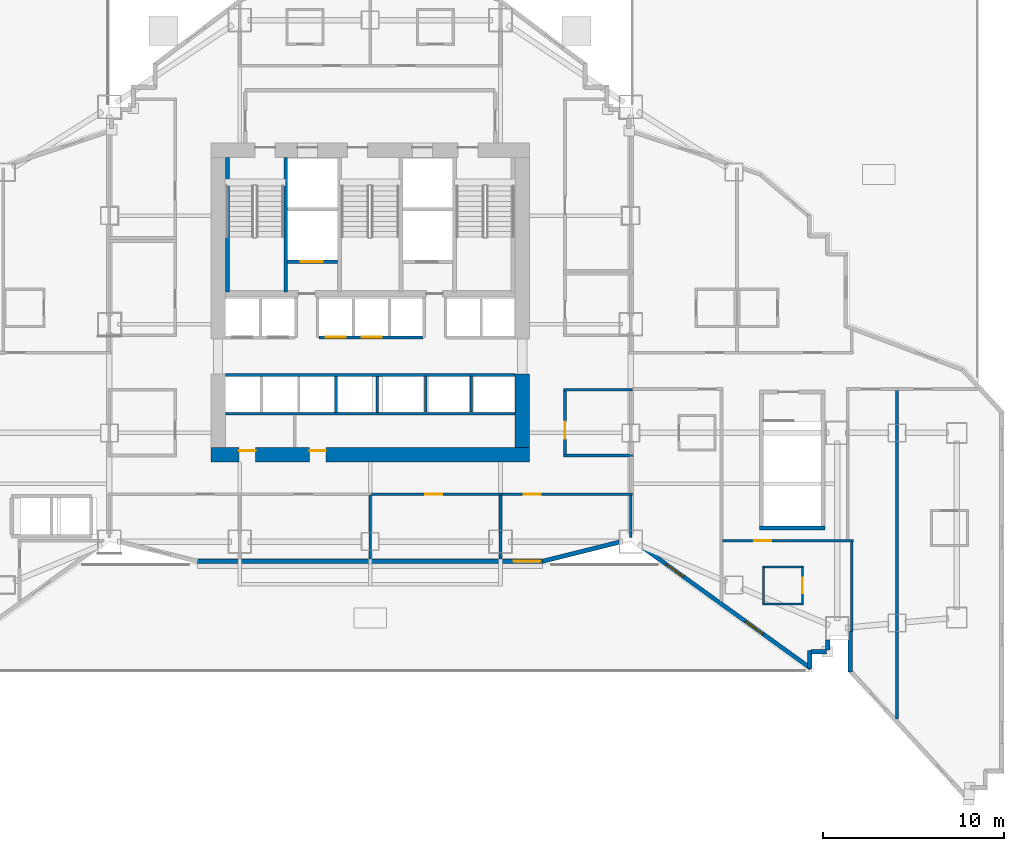
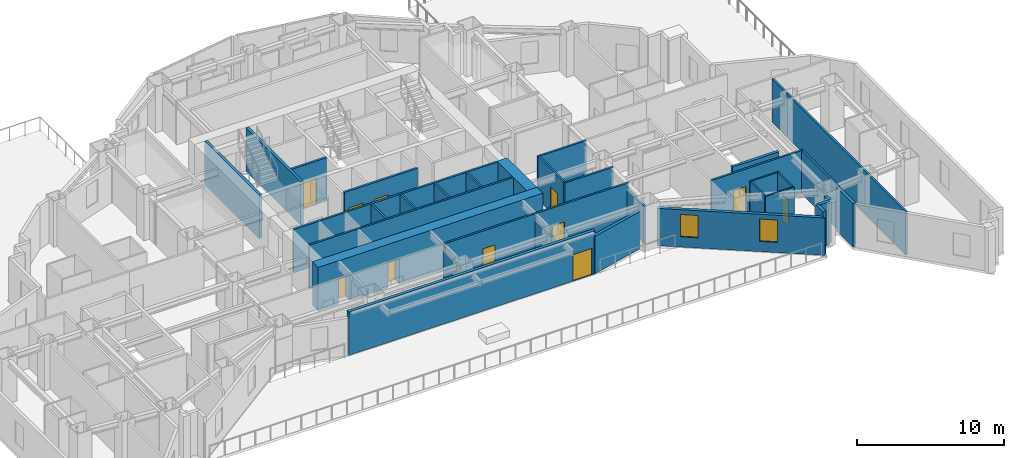
# One storey, part 9 of 20: 35 walls, 11 doors, 2 windows, 13 openings.
"""IFC4 building model written with IfcOpenShell, lengths in metres."""

from ifc_helpers import new_model, si_unit, direction, frame, frame_2d, origin, place, context, subcontext, project, spatial, rectangle, extrude, material, layer, layer_set, type_object, element, fill, save


model = new_model("IFC4")

# Units and contexts
model_context = context("Model", 3, precision=1e-05, world=origin(), true_north=direction((0.0, 1.0)))
body_context = subcontext(model_context, "Body", "Model", "MODEL_VIEW")
ifc_project = project(units=[si_unit("LENGTHUNIT", "METRE"), si_unit("AREAUNIT", "SQUARE_METRE"), si_unit("VOLUMEUNIT", "CUBIC_METRE"), si_unit("PLANEANGLEUNIT", "RADIAN"), si_unit("MASSUNIT", "GRAM", prefix="KILO")], contexts=[model_context])

# Site, building, storey
site_placement = place(None, origin())
site = spatial("IfcSite", under=ifc_project, at=site_placement, CompositionType="ELEMENT")
building_placement = place(site_placement, origin())
building = spatial("IfcBuilding", under=site, at=building_placement, Name="Haolan Belvedere Tower", CompositionType="ELEMENT")
storey_placement = place(building_placement, frame((0.0, 0.0, 24.0)))
storey = spatial("IfcBuildingStorey", under=building, at=storey_placement, Name="L05", CompositionType="ELEMENT", Elevation=24.0)

# Wall, openings, doors
ifc_material_1 = material(Name="Concrete C70/85", Category="concrete")
ifc_layer_1 = layer(ifc_material_1, 0.800048828125, Name="Concrete C70/85")
ifc_layer_set_1 = layer_set([ifc_layer_1], Name="Concrete C70/85")
wall_type_1 = type_object("IfcWallType", Name="WL-CORE-800", PredefinedType="SHEAR", material=ifc_layer_set_1)
wall_1_placement = place(storey_placement, frame((29.60009765625, 26.39990234375, 0.0), z_axis=(0.0, 0.0, 1.0), x_axis=(1.0, 0.0, 0.0)))
wall_1 = element("IfcWall", 1, at=wall_1_placement, inside=storey, type_object=wall_type_1, Name="L05 central core south shear wall", PredefinedType="SHEAR", context=body_context, shape_type="SweptSolid", body=[
    extrude(rectangle(XDim=17.599853515625, YDim=0.800048828125, at=frame_2d((8.7998046875, 0.0))), origin(), (0.0, 0.0, 1.0), 3.60009765625),
])
opening_1_placement = place(wall_1_placement, frame((2.469970703125, 0.0, 0.0), z_axis=(0.0, 0.0, 1.0), x_axis=(-1.0, 0.0, 0.0)))
opening_1 = element("IfcOpeningElement", 2, at=opening_1_placement, cuts=wall_1, Name="Opening FD-05", PredefinedType="OPENING", context=body_context, shape_type="SweptSolid", body=[
    extrude(rectangle(XDim=0.89990234375, YDim=2.10009765625, at=frame_2d((0.449951171875, 1.050048828125))), frame((0.0, 0.409912109375, 0.0), z_axis=(0.0, -1.0, 0.0), x_axis=(1.0, 0.0, 0.0)), (0.0, 0.0, 1.0), 0.820068359375),
])
opening_2_placement = place(wall_1_placement, frame((6.35986328125, 0.0, 0.0), z_axis=(0.0, 0.0, 1.0), x_axis=(-1.0, 0.0, 0.0)))
opening_2 = element("IfcOpeningElement", 3, at=opening_2_placement, cuts=wall_1, Name="Opening FD-05", PredefinedType="OPENING", context=body_context, shape_type="SweptSolid", body=[
    extrude(rectangle(XDim=0.89990234375, YDim=2.10009765625, at=frame_2d((0.449951171875, 1.050048828125))), frame((0.0, 0.409912109375, 0.0), z_axis=(0.0, -1.0, 0.0), x_axis=(1.0, 0.0, 0.0)), (0.0, 0.0, 1.0), 0.820068359375),
])
ifc_material_2 = material(Name="Galvanised fire-rated steel", Category="steel")
door_type_1 = type_object("IfcDoorType", Name="DR-FD60-900", OperationType="NOTDEFINED", PredefinedType="DOOR", material=ifc_material_2)
door_1_placement = place(opening_1_placement, origin())
door_1 = element("IfcDoor", 4, at=door_1_placement, inside=storey, type_object=door_type_1, Name="L05 door CD-L05-SCV-1", OperationType="SINGLE_SWING_LEFT", OverallHeight=2.10009765625, OverallWidth=0.89990234375, PredefinedType="DOOR", context=body_context, shape_type="SweptSolid", body=[
    extrude(rectangle(XDim=0.89990234375, YDim=2.10009765625, at=frame_2d((0.449951171875, 1.050048828125))), frame((0.0, -0.19482421875, 0.0), z_axis=(0.0, -1.0, 0.0), x_axis=(1.0, 0.0, 0.0)), (0.0, 0.0, 1.0), 0.050048828125),
])
fill(opening_1, door_1)
door_2_placement = place(opening_2_placement, origin())
door_2 = element("IfcDoor", 5, at=door_2_placement, inside=storey, type_object=door_type_1, Name="L05 door CD-L05-SCV-2", OperationType="SINGLE_SWING_RIGHT", OverallHeight=2.10009765625, OverallWidth=0.89990234375, PredefinedType="DOOR", context=body_context, shape_type="SweptSolid", body=[
    extrude(rectangle(XDim=0.89990234375, YDim=2.10009765625, at=frame_2d((0.449951171875, 1.050048828125))), frame((0.0, -0.19482421875, 0.0), z_axis=(0.0, -1.0, 0.0), x_axis=(1.0, 0.0, 0.0)), (0.0, 0.0, 1.0), 0.050048828125),
])
fill(opening_2, door_2)

# Wall
wall_2_placement = place(storey_placement, frame((46.800048828125, 26.800048828125, 0.0), z_axis=(0.0, 0.0, 1.0), x_axis=(0.0, 1.0, 0.0)))
element("IfcWall", 6, at=wall_2_placement, inside=storey, type_object=wall_type_1, Name="L05 central core shear wall ES", PredefinedType="SHEAR", context=body_context, shape_type="SweptSolid", body=[
    extrude(rectangle(XDim=4.050048828125, YDim=0.800048828125, at=frame_2d((2.02490234375, 0.0))), origin(), (0.0, 0.0, 1.0), 3.60009765625),
])

# Wall, opening, door
ifc_material_3 = material(Name="Precast concrete C40/50", Category="concrete")
ifc_layer_2 = layer(ifc_material_3, 0.239990234375, Name="Precast concrete C40/50")
ifc_layer_set_2 = layer_set([ifc_layer_2], Name="Precast concrete C40/50")
wall_type_2 = type_object("IfcWallType", Name="WL-EXT-240", PredefinedType="SOLIDWALL", material=ifc_layer_set_2)
wall_3_placement = place(storey_placement, frame((28.759765625, 20.52001953125, 0.0), z_axis=(0.0, 0.0, 1.0), x_axis=(1.0, 0.0, 0.0)))
wall_3 = element("IfcWall", 7, at=wall_3_placement, inside=storey, type_object=wall_type_2, Name="L05 pale-metal exterior spandrel wall 13.1", PredefinedType="SOLIDWALL", context=body_context, shape_type="SweptSolid", body=[
    extrude(rectangle(XDim=19.280517578125, YDim=0.239990234375, at=frame_2d((9.64013671875, 0.0))), origin(), (0.0, 0.0, 1.0), 3.60009765625),
])
opening_3_placement = place(wall_3_placement, frame((19.060302734375, 0.0, 0.0), z_axis=(0.0, 0.0, 1.0), x_axis=(-1.0, 0.0, 0.0)))
opening_3 = element("IfcOpeningElement", 8, at=opening_3_placement, cuts=wall_3, Name="Opening TD-01", PredefinedType="OPENING", context=body_context, shape_type="SweptSolid", body=[
    extrude(rectangle(XDim=1.5, YDim=2.199951171875, at=frame_2d((0.75, 1.10009765625))), frame((0.0, 0.1298828125, 0.0), z_axis=(0.0, -1.0, 0.0), x_axis=(1.0, 0.0, 0.0)), (0.0, 0.0, 1.0), 0.260009765625),
])
ifc_material_4 = material(Name="Thermally broken pale-metal aluminium and Low-E glass", Category="aluminium")
door_type_2 = type_object("IfcDoorType", Name="DR-TER-1500", OperationType="DOUBLE_DOOR_SINGLE_SWING", PredefinedType="DOOR", material=ifc_material_4)
door_3_placement = place(opening_3_placement, origin())
door_3 = element("IfcDoor", 9, at=door_3_placement, inside=storey, type_object=door_type_2, Name="L05 garden terrace access door 1", OperationType="DOUBLE_DOOR_SINGLE_SWING", OverallHeight=2.199951171875, OverallWidth=1.5, PredefinedType="DOOR", context=body_context, shape_type="SweptSolid", body=[
    extrude(rectangle(XDim=1.5, YDim=2.199951171875, at=frame_2d((0.75, 1.10009765625))), frame((0.0, 0.02490234375, 0.0), z_axis=(0.0, -1.0, 0.0), x_axis=(1.0, 0.0, 0.0)), (0.0, 0.0, 1.0), 0.050048828125),
])
fill(opening_3, door_3)

# Wall
wall_4_placement = place(storey_placement, frame((47.931884765625, 20.506591796875, 0.0), z_axis=(0.0, 0.0, 1.0), x_axis=(0.970135906278, 0.242561998982, 0.0)))
element("IfcWall", 10, at=wall_4_placement, inside=storey, type_object=wall_type_2, Name="L05 pale-metal exterior spandrel wall 14.1", PredefinedType="SOLIDWALL", context=body_context, shape_type="SweptSolid", body=[
    extrude(rectangle(XDim=4.356201171875, YDim=0.239990234375, at=frame_2d((2.17822265625, 0.0))), origin(), (0.0, 0.0, 1.0), 3.096923828125),
])

# Wall, openings, windows
wall_5_placement = place(storey_placement, frame((53.44189453125, 21.28564453125, 0.0), z_axis=(0.0, 0.0, 1.0), x_axis=(0.811542842993, -0.584292917967, 0.0)))
wall_5 = element("IfcWall", 11, at=wall_5_placement, inside=storey, type_object=wall_type_2, Name="L05 pale-metal exterior spandrel wall 15.1", PredefinedType="SOLIDWALL", context=body_context, shape_type="SweptSolid", body=[
    extrude(rectangle(XDim=11.4384765625, YDim=0.239990234375, at=frame_2d((5.71923828125, 0.0))), origin(), (0.0, 0.0, 1.0), 3.096923828125),
])
opening_4_placement = place(wall_5_placement, frame((1.60009765625, 0.0, 0.85009765625)))
opening_4 = element("IfcOpeningElement", 12, at=opening_4_placement, cuts=wall_5, Name="Opening W-01", PredefinedType="OPENING", context=body_context, shape_type="SweptSolid", body=[
    extrude(rectangle(XDim=1.199951171875, YDim=1.85009765625, at=frame_2d((0.60009765625, 0.925048828125))), frame((0.0, 0.1298828125, 0.0), z_axis=(0.0, -1.0, 0.0), x_axis=(1.0, 0.0, 0.0)), (0.0, 0.0, 1.0), 0.260009765625),
])
opening_5_placement = place(wall_5_placement, frame((7.0, 0.0, 0.85009765625)))
opening_5 = element("IfcOpeningElement", 13, at=opening_5_placement, cuts=wall_5, Name="Opening W-01", PredefinedType="OPENING", context=body_context, shape_type="SweptSolid", body=[
    extrude(rectangle(XDim=1.199951171875, YDim=1.85009765625, at=frame_2d((0.60009765625, 0.925048828125))), frame((0.0, 0.1298828125, 0.0), z_axis=(0.0, -1.0, 0.0), x_axis=(1.0, 0.0, 0.0)), (0.0, 0.0, 1.0), 0.260009765625),
])
ifc_material_5 = material(Name="Anodised aluminium 6063-T6 and Low-E glass", Category="aluminium")
window_type = type_object("IfcWindowType", Name="WN-DECO-Z1", PartitioningType="SINGLE_PANEL", PredefinedType="WINDOW", material=ifc_material_5)
window_1_placement = place(opening_4_placement, origin())
window_1 = element("IfcWindow", 14, at=window_1_placement, inside=storey, type_object=window_type, Name="L05 Art Deco chevron window 1", OverallHeight=1.85009765625, OverallWidth=1.199951171875, PartitioningType="SINGLE_PANEL", PredefinedType="WINDOW", context=body_context, shape_type="SweptSolid", body=[
    extrude(rectangle(XDim=1.199951171875, YDim=1.85009765625, at=frame_2d((0.60009765625, 0.925048828125))), frame((0.0, 0.030029296875, 0.0), z_axis=(0.0, -1.0, 0.0), x_axis=(1.0, 0.0, 0.0)), (0.0, 0.0, 1.0), 0.06005859375),
])
fill(opening_4, window_1)
window_2_placement = place(opening_5_placement, origin())
window_2 = element("IfcWindow", 15, at=window_2_placement, inside=storey, type_object=window_type, Name="L05 Art Deco chevron window 2", OverallHeight=1.85009765625, OverallWidth=1.199951171875, PartitioningType="SINGLE_PANEL", PredefinedType="WINDOW", context=body_context, shape_type="SweptSolid", body=[
    extrude(rectangle(XDim=1.199951171875, YDim=1.85009765625, at=frame_2d((0.60009765625, 0.925048828125))), frame((0.0, 0.030029296875, 0.0), z_axis=(0.0, -1.0, 0.0), x_axis=(1.0, 0.0, 0.0)), (0.0, 0.0, 1.0), 0.06005859375),
])
fill(opening_5, window_2)

# Walls
wall_6_placement = place(storey_placement, frame((62.679931640625, 14.579345703125, 0.0), z_axis=(0.0, 0.0, 1.0), x_axis=(0.0, 1.0, 0.0)))
element("IfcWall", 16, at=wall_6_placement, inside=storey, type_object=wall_type_2, Name="L05 pale-metal exterior spandrel wall 16.1", PredefinedType="SOLIDWALL", context=body_context, shape_type="SweptSolid", body=[
    extrude(rectangle(XDim=0.99560546875, YDim=0.239990234375, at=frame_2d((0.497802734375, 0.0))), origin(), (0.0, 0.0, 1.0), 3.60009765625),
])
wall_7_placement = place(storey_placement, frame((62.7451171875, 15.52001953125, 0.0), z_axis=(0.0, 0.0, 1.0), x_axis=(1.0, 0.0, 0.0)))
element("IfcWall", 17, at=wall_7_placement, inside=storey, type_object=wall_type_2, Name="L05 pale-metal exterior spandrel wall 17.1", PredefinedType="SOLIDWALL", context=body_context, shape_type="SweptSolid", body=[
    extrude(rectangle(XDim=0.849853515625, YDim=0.239990234375, at=frame_2d((0.4248046875, 0.0))), origin(), (0.0, 0.0, 1.0), 3.60009765625),
])
wall_8_placement = place(storey_placement, frame((63.679931640625, 15.60498046875, 0.0), z_axis=(0.0, 0.0, 1.0), x_axis=(0.0, 1.0, 0.0)))
element("IfcWall", 18, at=wall_8_placement, inside=storey, type_object=wall_type_2, Name="L05 pale-metal exterior spandrel wall 18.1", PredefinedType="SOLIDWALL", context=body_context, shape_type="SweptSolid", body=[
    extrude(rectangle(XDim=0.552978515625, YDim=0.239990234375, at=frame_2d((0.2763671875, 0.0))), origin(), (0.0, 0.0, 1.0), 3.60009765625),
])
wall_9_placement = place(storey_placement, frame((64.919921875, 16.639892578125, 0.0), z_axis=(0.0, 0.0, 1.0), x_axis=(0.0, -1.0, 0.0)))
element("IfcWall", 19, at=wall_9_placement, inside=storey, type_object=wall_type_2, Name="L05 pale-metal exterior spandrel wall 20.1", PredefinedType="SOLIDWALL", context=body_context, shape_type="SweptSolid", body=[
    extrude(rectangle(XDim=2.248291015625, YDim=0.239990234375, at=frame_2d((1.1240234375, 0.0))), origin(), (0.0, 0.0, 1.0), 3.60009765625),
])
ifc_material_6 = material(Name="Double gypsum acoustic stud partition", Category="masonry")
ifc_layer_3 = layer(ifc_material_6, 0.14990234375, Name="Double gypsum acoustic stud partition")
ifc_layer_set_3 = layer_set([ifc_layer_3], Name="Double gypsum acoustic stud partition")
wall_type_3 = type_object("IfcWallType", Name="WL-PART-150", PredefinedType="PARTITIONING", material=ifc_layer_set_3)
wall_10_placement = place(storey_placement, frame((30.39990234375, 28.659912109375, 0.0), z_axis=(0.0, 0.0, 1.0), x_axis=(1.0, 0.0, 0.0)))
element("IfcWall", 20, at=wall_10_placement, inside=storey, type_object=wall_type_3, Name="L05 interior partition IW-L05-SSTRIP-N", PredefinedType="PARTITIONING", context=body_context, shape_type="SweptSolid", body=[
    extrude(rectangle(XDim=16.0, YDim=0.14990234375, at=frame_2d((8.0, 0.0))), origin(), (0.0, 0.0, 1.0), 3.60009765625),
])
for number, where, z_axis, x_axis, name in (
    (21, (49.080078125, 29.97998046875, 0.0), (0.0, 0.0, 1.0), (1.0, 0.0, 0.0), "L05 interior partition IW-L05-PKTE-N"),
    (22, (49.080078125, 26.35009765625, 0.0), (0.0, 0.0, 1.0), (1.0, 0.0, 0.0), "L05 interior partition IW-L05-PKTE-S"),
):
    element("IfcWall", number, at=place(storey_placement, frame(where, z_axis=z_axis, x_axis=x_axis)), inside=storey, type_object=wall_type_3, Name=name, PredefinedType="PARTITIONING", context=body_context, shape_type="SweptSolid", body=[
        extrude(rectangle(XDim=3.7998046875, YDim=0.14990234375, at=frame_2d((1.89990234375, 0.0))), origin(), (0.0, 0.0, 1.0), 3.60009765625),
    ])

# Wall, opening, door
wall_11_placement = place(storey_placement, frame((49.159912109375, 26.409912109375, 0.0), z_axis=(0.0, 0.0, 1.0), x_axis=(0.0, 1.0, 0.0)))
wall_11 = element("IfcWall", 23, at=wall_11_placement, inside=storey, type_object=wall_type_3, Name="L05 interior partition IW-L05-PKTE-W", PredefinedType="PARTITIONING", context=body_context, shape_type="SweptSolid", body=[
    extrude(rectangle(XDim=3.510009765625, YDim=0.14990234375, at=frame_2d((1.7548828125, 0.0))), origin(), (0.0, 0.0, 1.0), 3.60009765625),
])
opening_6_placement = place(wall_11_placement, frame((0.860107421875, 0.0, 0.0)))
opening_6 = element("IfcOpeningElement", 24, at=opening_6_placement, cuts=wall_11, Name="Opening ID-03", PredefinedType="OPENING", context=body_context, shape_type="SweptSolid", body=[
    extrude(rectangle(XDim=0.949951171875, YDim=2.1201171875, at=frame_2d((0.47509765625, 1.06005859375))), frame((0.0, 0.0849609375, 0.0), z_axis=(0.0, -1.0, 0.0), x_axis=(1.0, 0.0, 0.0)), (0.0, 0.0, 1.0), 0.169921875),
])
ifc_material_7 = material(Name="Painted solid-core timber", Category="wood")
door_type_3 = type_object("IfcDoorType", Name="DR-INT-950", OperationType="NOTDEFINED", PredefinedType="DOOR", material=ifc_material_7)
door_4_placement = place(opening_6_placement, origin())
door_4 = element("IfcDoor", 25, at=door_4_placement, inside=storey, type_object=door_type_3, Name="L05 door ID-L05-PKTE", OperationType="SINGLE_SWING_RIGHT", OverallHeight=2.1201171875, OverallWidth=0.949951171875, PredefinedType="DOOR", context=body_context, shape_type="SweptSolid", body=[
    extrude(rectangle(XDim=0.949951171875, YDim=2.1201171875, at=frame_2d((0.47509765625, 1.06005859375))), frame((0.0, 0.02490234375, 0.0), z_axis=(0.0, -1.0, 0.0), x_axis=(1.0, 0.0, 0.0)), (0.0, 0.0, 1.0), 0.050048828125),
])
fill(opening_6, door_4)

# Wall
wall_12_placement = place(storey_placement, frame((38.39990234375, 20.625, 0.0), z_axis=(0.0, 0.0, 1.0), x_axis=(0.0, 1.0, 0.0)))
element("IfcWall", 26, at=wall_12_placement, inside=storey, type_object=wall_type_3, Name="L05 interior partition IW-L05-KS2-E", PredefinedType="PARTITIONING", context=body_context, shape_type="SweptSolid", body=[
    extrude(rectangle(XDim=3.534912109375, YDim=0.14990234375, at=frame_2d((1.767578125, 0.0))), origin(), (0.0, 0.0, 1.0), 2.985107421875),
])

# Wall, opening, door
wall_13_placement = place(storey_placement, frame((38.48193359375, 24.219970703125, 0.0), z_axis=(0.0, 0.0, 1.0), x_axis=(1.0, 0.0, 0.0)))
wall_13 = element("IfcWall", 27, at=wall_13_placement, inside=storey, type_object=wall_type_3, Name="L05 interior partition IW-L05-KS3-N", PredefinedType="PARTITIONING", context=body_context, shape_type="SweptSolid", body=[
    extrude(rectangle(XDim=7.197998046875, YDim=0.14990234375, at=frame_2d((3.59912109375, 0.0))), origin(), (0.0, 0.0, 1.0), 3.60009765625),
])
opening_7_placement = place(wall_13_placement, frame((3.912841796875, 0.0, 0.0), z_axis=(0.0, 0.0, 1.0), x_axis=(-1.0, 0.0, 0.0)))
opening_7 = element("IfcOpeningElement", 28, at=opening_7_placement, cuts=wall_13, Name="Opening ID-03", PredefinedType="OPENING", context=body_context, shape_type="SweptSolid", body=[
    extrude(rectangle(XDim=0.949951171875, YDim=2.1201171875, at=frame_2d((0.47509765625, 1.06005859375))), frame((0.0, 0.0849609375, 0.0), z_axis=(0.0, -1.0, 0.0), x_axis=(1.0, 0.0, 0.0)), (0.0, 0.0, 1.0), 0.169921875),
])
door_5_placement = place(opening_7_placement, origin())
door_5 = element("IfcDoor", 29, at=door_5_placement, inside=storey, type_object=door_type_3, Name="L05 door ID-L05-KS3", OperationType="SINGLE_SWING_LEFT", OverallHeight=2.1201171875, OverallWidth=0.949951171875, PredefinedType="DOOR", context=body_context, shape_type="SweptSolid", body=[
    extrude(rectangle(XDim=0.949951171875, YDim=2.1201171875, at=frame_2d((0.47509765625, 1.06005859375))), frame((0.0, 0.02490234375, 0.0), z_axis=(0.0, -1.0, 0.0), x_axis=(1.0, 0.0, 0.0)), (0.0, 0.0, 1.0), 0.050048828125),
])
fill(opening_7, door_5)

# Wall
wall_14_placement = place(storey_placement, frame((45.60009765625, 20.625, 0.0), z_axis=(0.0, 0.0, 1.0), x_axis=(0.0, 1.0, 0.0)))
element("IfcWall", 30, at=wall_14_placement, inside=storey, type_object=wall_type_3, Name="L05 interior partition IW-L05-KS3-E", PredefinedType="PARTITIONING", context=body_context, shape_type="SweptSolid", body=[
    extrude(rectangle(XDim=3.534912109375, YDim=0.14990234375, at=frame_2d((1.767578125, 0.0))), origin(), (0.0, 0.0, 1.0), 2.985107421875),
])

# Wall, opening, door
wall_15_placement = place(storey_placement, frame((45.681884765625, 24.219970703125, 0.0), z_axis=(0.0, 0.0, 1.0), x_axis=(1.0, 0.0, 0.0)))
wall_15 = element("IfcWall", 31, at=wall_15_placement, inside=storey, type_object=wall_type_3, Name="L05 interior partition IW-L05-KS4-N", PredefinedType="PARTITIONING", context=body_context, shape_type="SweptSolid", body=[
    extrude(rectangle(XDim=7.197998046875, YDim=0.14990234375, at=frame_2d((3.59912109375, 0.0))), origin(), (0.0, 0.0, 1.0), 3.60009765625),
])
opening_8_placement = place(wall_15_placement, frame((2.14306640625, 0.0, 0.0), z_axis=(0.0, 0.0, 1.0), x_axis=(-1.0, 0.0, 0.0)))
opening_8 = element("IfcOpeningElement", 32, at=opening_8_placement, cuts=wall_15, Name="Opening ID-03", PredefinedType="OPENING", context=body_context, shape_type="SweptSolid", body=[
    extrude(rectangle(XDim=0.949951171875, YDim=2.1201171875, at=frame_2d((0.47509765625, 1.06005859375))), frame((0.0, 0.0849609375, 0.0), z_axis=(0.0, -1.0, 0.0), x_axis=(1.0, 0.0, 0.0)), (0.0, 0.0, 1.0), 0.169921875),
])
door_6_placement = place(opening_8_placement, origin())
door_6 = element("IfcDoor", 33, at=door_6_placement, inside=storey, type_object=door_type_3, Name="L05 door ID-L05-KS4", OperationType="SINGLE_SWING_RIGHT", OverallHeight=2.1201171875, OverallWidth=0.949951171875, PredefinedType="DOOR", context=body_context, shape_type="SweptSolid", body=[
    extrude(rectangle(XDim=0.949951171875, YDim=2.1201171875, at=frame_2d((0.47509765625, 1.06005859375))), frame((0.0, 0.02490234375, 0.0), z_axis=(0.0, -1.0, 0.0), x_axis=(1.0, 0.0, 0.0)), (0.0, 0.0, 1.0), 0.050048828125),
])
fill(opening_8, door_6)

# Wall
wall_16_placement = place(storey_placement, frame((52.800048828125, 21.818603515625, 0.0), z_axis=(0.0, 0.0, 1.0), x_axis=(0.0, 1.0, 0.0)))
element("IfcWall", 34, at=wall_16_placement, inside=storey, type_object=wall_type_3, Name="L05 interior partition IW-L05-KS4-E", PredefinedType="PARTITIONING", context=body_context, shape_type="SweptSolid", body=[
    extrude(rectangle(XDim=2.34130859375, YDim=0.14990234375, at=frame_2d((1.170654296875, 0.0))), origin(), (0.0, 0.0, 1.0), 3.096923828125),
])

# Wall, opening, door
wall_17_placement = place(storey_placement, frame((57.860107421875, 21.64990234375, 0.0), z_axis=(0.0, 0.0, 1.0), x_axis=(1.0, 0.0, 0.0)))
wall_17 = element("IfcWall", 35, at=wall_17_placement, inside=storey, type_object=wall_type_3, Name="L05 interior partition IW-L05-T4S2-N", PredefinedType="PARTITIONING", context=body_context, shape_type="SweptSolid", body=[
    extrude(rectangle(XDim=7.239990234375, YDim=0.14990234375, at=frame_2d((3.6201171875, 0.0))), origin(), (0.0, 0.0, 1.0), 3.60009765625),
])
opening_9_placement = place(wall_17_placement, frame((2.690185546875, 0.0, 0.0), z_axis=(0.0, 0.0, 1.0), x_axis=(-1.0, 0.0, 0.0)))
opening_9 = element("IfcOpeningElement", 36, at=opening_9_placement, cuts=wall_17, Name="Opening ID-02", PredefinedType="OPENING", context=body_context, shape_type="SweptSolid", body=[
    extrude(rectangle(XDim=0.949951171875, YDim=2.14990234375, at=frame_2d((0.47509765625, 1.074951171875))), frame((0.0, 0.0849609375, 0.0), z_axis=(0.0, -1.0, 0.0), x_axis=(1.0, 0.0, 0.0)), (0.0, 0.0, 1.0), 0.169921875),
])
ifc_material_8 = material(Name="Acoustic oak veneer fire-rated timber", Category="wood")
door_type_4 = type_object("IfcDoorType", Name="DR-GUEST-950", OperationType="NOTDEFINED", PredefinedType="DOOR", material=ifc_material_8)
door_7_placement = place(opening_9_placement, origin())
door_7 = element("IfcDoor", 37, at=door_7_placement, inside=storey, type_object=door_type_4, Name="L05 door ID-L05-T4S2-ENT", OperationType="SINGLE_SWING_RIGHT", OverallHeight=2.14990234375, OverallWidth=0.949951171875, PredefinedType="DOOR", context=body_context, shape_type="SweptSolid", body=[
    extrude(rectangle(XDim=0.949951171875, YDim=2.14990234375, at=frame_2d((0.47509765625, 1.074951171875))), frame((0.0, 0.02490234375, 0.0), z_axis=(0.0, -1.0, 0.0), x_axis=(1.0, 0.0, 0.0)), (0.0, 0.0, 1.0), 0.050048828125),
])
fill(opening_9, door_7)

# Walls
wall_18_placement = place(storey_placement, frame((65.0, 16.64208984375, 0.0), z_axis=(0.0, 0.0, 1.0), x_axis=(0.0, 1.0, 0.0)))
element("IfcWall", 38, at=wall_18_placement, inside=storey, type_object=wall_type_3, Name="L05 interior partition IW-L05-T4S2-E", PredefinedType="PARTITIONING", context=body_context, shape_type="SweptSolid", body=[
    extrude(rectangle(XDim=4.947998046875, YDim=0.14990234375, at=frame_2d((2.47412109375, 0.0))), origin(), (0.0, 0.0, 1.0), 3.60009765625),
])
wall_19_placement = place(storey_placement, frame((67.5, 11.79052734375, 0.0), z_axis=(0.0, 0.0, 1.0), x_axis=(0.0, 1.0, 0.0)))
element("IfcWall", 39, at=wall_19_placement, inside=storey, type_object=wall_type_3, Name="L05 interior partition IW-L05-T5S1-E", PredefinedType="PARTITIONING", context=body_context, shape_type="SweptSolid", body=[
    extrude(rectangle(XDim=18.16943359375, YDim=0.14990234375, at=frame_2d((9.084716796875, 0.0))), origin(), (0.0, 0.0, 1.0), 3.60009765625),
])

# Wall, openings, doors
ifc_material_9 = material(Name="Gypsum fire shaftwall assembly", Category="masonry")
ifc_layer_4 = layer(ifc_material_9, 0.1650390625, Name="Gypsum fire shaftwall assembly")
ifc_layer_set_4 = layer_set([ifc_layer_4], Name="Gypsum fire shaftwall assembly")
wall_type_4 = type_object("IfcWallType", Name="WL-SHAFT-160", PredefinedType="SOLIDWALL", material=ifc_layer_set_4)
wall_20_placement = place(storey_placement, frame((35.570068359375, 32.8798828125, 0.0), z_axis=(0.0, 0.0, 1.0), x_axis=(1.0, 0.0, 0.0)))
wall_20 = element("IfcWall", 40, at=wall_20_placement, inside=storey, type_object=wall_type_4, Name="L05 interior partition IW-L05-ROW-PN2", PredefinedType="SOLIDWALL", context=body_context, shape_type="SweptSolid", body=[
    extrude(rectangle(XDim=5.739990234375, YDim=0.159912109375, at=frame_2d((2.8701171875, 0.0))), origin(), (0.0, 0.0, 1.0), 3.60009765625),
])
opening_10_placement = place(wall_20_placement, frame((1.47021484375, 0.0, 0.0), z_axis=(0.0, 0.0, 1.0), x_axis=(-1.0, 0.0, 0.0)))
opening_10 = element("IfcOpeningElement", 41, at=opening_10_placement, cuts=wall_20, Name="Opening LD-01", PredefinedType="OPENING", context=body_context, shape_type="SweptSolid", body=[
    extrude(rectangle(XDim=1.10009765625, YDim=2.199951171875, at=frame_2d((0.550048828125, 1.10009765625))), frame((0.0, 0.08984375, 0.0), z_axis=(0.0, -1.0, 0.0), x_axis=(1.0, 0.0, 0.0)), (0.0, 0.0, 1.0), 0.179931640625),
])
opening_11_placement = place(wall_20_placement, frame((3.460205078125, 0.0, 0.0), z_axis=(0.0, 0.0, 1.0), x_axis=(-1.0, 0.0, 0.0)))
opening_11 = element("IfcOpeningElement", 42, at=opening_11_placement, cuts=wall_20, Name="Opening LD-01", PredefinedType="OPENING", context=body_context, shape_type="SweptSolid", body=[
    extrude(rectangle(XDim=1.10009765625, YDim=2.199951171875, at=frame_2d((0.550048828125, 1.10009765625))), frame((0.0, 0.08984375, 0.0), z_axis=(0.0, -1.0, 0.0), x_axis=(1.0, 0.0, 0.0)), (0.0, 0.0, 1.0), 0.179931640625),
])
ifc_material_10 = material(Name="Brushed champagne stainless steel 316L", Category="steel")
door_type_5 = type_object("IfcDoorType", Name="DR-LIFT-1100", OperationType="SLIDING_TO_LEFT", PredefinedType="DOOR", material=ifc_material_10)
door_8_placement = place(opening_10_placement, origin())
door_8 = element("IfcDoor", 43, at=door_8_placement, inside=storey, type_object=door_type_5, Name="L05 door ID-L05-LD-PL3", OperationType="SLIDING_TO_LEFT", OverallHeight=2.199951171875, OverallWidth=1.10009765625, PredefinedType="DOOR", context=body_context, shape_type="SweptSolid", body=[
    extrude(rectangle(XDim=1.10009765625, YDim=2.199951171875, at=frame_2d((0.550048828125, 1.10009765625))), frame((0.0, 0.02490234375, 0.0), z_axis=(0.0, -1.0, 0.0), x_axis=(1.0, 0.0, 0.0)), (0.0, 0.0, 1.0), 0.050048828125),
])
fill(opening_10, door_8)
door_9_placement = place(opening_11_placement, origin())
door_9 = element("IfcDoor", 44, at=door_9_placement, inside=storey, type_object=door_type_5, Name="L05 door ID-L05-LD-PL4", OperationType="SLIDING_TO_LEFT", OverallHeight=2.199951171875, OverallWidth=1.10009765625, PredefinedType="DOOR", context=body_context, shape_type="SweptSolid", body=[
    extrude(rectangle(XDim=1.10009765625, YDim=2.199951171875, at=frame_2d((0.550048828125, 1.10009765625))), frame((0.0, 0.02490234375, 0.0), z_axis=(0.0, -1.0, 0.0), x_axis=(1.0, 0.0, 0.0)), (0.0, 0.0, 1.0), 0.050048828125),
])
fill(opening_11, door_9)

# Walls
wall_21_placement = place(storey_placement, frame((30.39990234375, 30.800048828125, 0.0), z_axis=(0.0, 0.0, 1.0), x_axis=(1.0, 0.0, 0.0)))
element("IfcWall", 45, at=wall_21_placement, inside=storey, type_object=wall_type_4, Name="L05 interior partition IW-L05-ROW-PS", PredefinedType="SOLIDWALL", context=body_context, shape_type="SweptSolid", body=[
    extrude(rectangle(XDim=16.0, YDim=0.159912109375, at=frame_2d((8.0, 0.0))), origin(), (0.0, 0.0, 1.0), 3.60009765625),
])
for number, where, z_axis, x_axis, name in (
    (46, (36.52001953125, 28.735107421875, 0.0), (0.0, 0.0, 1.0), (0.0, 1.0, 0.0), "L05 interior partition IW-L05-DIV-PM3"),
    (47, (38.800048828125, 28.735107421875, 0.0), (0.0, 0.0, 1.0), (0.0, 1.0, 0.0), "L05 interior partition IW-L05-DIV-PM4"),
):
    element("IfcWall", number, at=place(storey_placement, frame(where, z_axis=z_axis, x_axis=x_axis)), inside=storey, type_object=wall_type_4, Name=name, PredefinedType="SOLIDWALL", context=body_context, shape_type="SweptSolid", body=[
        extrude(rectangle(XDim=1.98486328125, YDim=0.14990234375, at=frame_2d((0.992431640625, 0.0))), origin(), (0.0, 0.0, 1.0), 3.60009765625),
    ])
for number, where, z_axis, x_axis, name in (
    (48, (41.469970703125, 28.75, 0.0), (0.0, 0.0, 1.0), (0.0, 1.0, 0.0), "L05 interior partition IW-L05-DIV-OB1"),
    (49, (43.97998046875, 28.75, 0.0), (0.0, 0.0, 1.0), (0.0, 1.0, 0.0), "L05 interior partition IW-L05-DIV-OB2"),
):
    element("IfcWall", number, at=place(storey_placement, frame(where, z_axis=z_axis, x_axis=x_axis)), inside=storey, type_object=wall_type_4, Name=name, PredefinedType="SOLIDWALL", context=body_context, shape_type="SweptSolid", body=[
        extrude(rectangle(XDim=1.985107421875, YDim=0.14990234375, at=frame_2d((0.99267578125, 0.0))), origin(), (0.0, 0.0, 1.0), 3.60009765625),
    ])

# Wall, opening, door
ifc_layer_5 = layer(ifc_material_3, 0.179931640625, Name="Precast concrete C40/50")
ifc_layer_set_5 = layer_set([ifc_layer_5], Name="Precast concrete C40/50")
wall_type_5 = type_object("IfcWallType", Name="WL-SHAFT-180", PredefinedType="SOLIDWALL", material=ifc_layer_set_5)
wall_22_placement = place(storey_placement, frame((33.8349609375, 37.050048828125, 0.0), z_axis=(0.0, 0.0, 1.0), x_axis=(1.0, 0.0, 0.0)))
wall_22 = element("IfcWall", 50, at=wall_22_placement, inside=storey, type_object=wall_type_5, Name="L05 interior partition IW-L05-SV1-S", PredefinedType="SOLIDWALL", context=body_context, shape_type="SweptSolid", body=[
    extrude(rectangle(XDim=2.77001953125, YDim=0.179931640625, at=frame_2d((1.385009765625, 0.0))), origin(), (0.0, 0.0, 1.0), 3.60009765625),
])
opening_12_placement = place(wall_22_placement, frame((1.945068359375, 0.0, 0.0), z_axis=(0.0, 0.0, 1.0), x_axis=(-1.0, 0.0, 0.0)))
opening_12 = element("IfcOpeningElement", 51, at=opening_12_placement, cuts=wall_22, Name="Opening LD-02", PredefinedType="OPENING", context=body_context, shape_type="SweptSolid", body=[
    extrude(rectangle(XDim=1.199951171875, YDim=2.199951171875, at=frame_2d((0.60009765625, 1.10009765625))), frame((0.0, 0.099853515625, 0.0), z_axis=(0.0, -1.0, 0.0), x_axis=(1.0, 0.0, 0.0)), (0.0, 0.0, 1.0), 0.199951171875),
])
door_type_6 = type_object("IfcDoorType", Name="DR-LIFT-1200", OperationType="SLIDING_TO_RIGHT", PredefinedType="DOOR", material=ifc_material_10)
door_10_placement = place(opening_12_placement, origin())
door_10 = element("IfcDoor", 52, at=door_10_placement, inside=storey, type_object=door_type_6, Name="L05 door ID-L05-LD-SV1", OperationType="SLIDING_TO_RIGHT", OverallHeight=2.199951171875, OverallWidth=1.199951171875, PredefinedType="DOOR", context=body_context, shape_type="SweptSolid", body=[
    extrude(rectangle(XDim=1.199951171875, YDim=2.199951171875, at=frame_2d((0.60009765625, 1.10009765625))), frame((0.0, 0.02490234375, 0.0), z_axis=(0.0, -1.0, 0.0), x_axis=(1.0, 0.0, 0.0)), (0.0, 0.0, 1.0), 0.050048828125),
])
fill(opening_12, door_10)

# Walls
ifc_material_11 = material(Name="Concrete C50/60", Category="concrete")
ifc_layer_6 = layer(ifc_material_11, 0.219970703125, Name="Concrete C50/60")
ifc_layer_set_6 = layer_set([ifc_layer_6], Name="Concrete C50/60")
wall_type_6 = type_object("IfcWallType", Name="WL-STAIR-220", PredefinedType="SHEAR", material=ifc_layer_set_6)
for number, where, z_axis, x_axis, name in (
    (53, (30.511962890625, 35.389892578125, 0.0), (0.0, 0.0, 1.0), (0.0, 1.0, 0.0), "L05 structural stair core wall ST1W"),
    (54, (33.739990234375, 35.389892578125, 0.0), (0.0, 0.0, 1.0), (0.0, 1.0, 0.0), "L05 structural stair core wall ST1E"),
):
    element("IfcWall", number, at=place(storey_placement, frame(where, z_axis=z_axis, x_axis=x_axis)), inside=storey, type_object=wall_type_6, Name=name, PredefinedType="SHEAR", context=body_context, shape_type="SweptSolid", body=[
        extrude(rectangle(XDim=7.41015625, YDim=0.219970703125, at=frame_2d((3.705078125, 0.0))), origin(), (0.0, 0.0, 1.0), 3.60009765625),
    ])
wall_23_placement = place(storey_placement, frame((59.89990234375, 22.340087890625, 0.0), z_axis=(0.0, 0.0, 1.0), x_axis=(1.0, 0.0, 0.0)))
element("IfcWall", 55, at=wall_23_placement, inside=storey, type_object=wall_type_6, Name="L05 podium stair ST5 structural shaft wall S", PredefinedType="SHEAR", context=body_context, shape_type="SweptSolid", body=[
    extrude(rectangle(XDim=3.6201171875, YDim=0.219970703125, at=frame_2d((1.81005859375, 0.0))), origin(), (0.0, 0.0, 1.0), 3.60009765625),
])
ifc_material_12 = material(Name="Moisture-resistant gypsum tile partition", Category="masonry")
ifc_layer_7 = layer(ifc_material_12, 0.1201171875, Name="Moisture-resistant gypsum tile partition")
ifc_layer_set_7 = layer_set([ifc_layer_7], Name="Moisture-resistant gypsum tile partition")
wall_type_7 = type_object("IfcWallType", Name="WL-WET-120", PredefinedType="PARTITIONING", material=ifc_layer_set_7)
for number, where, z_axis, x_axis, name in (
    (56, (60.070068359375, 20.199951171875, 0.0), (0.0, 0.0, 1.0), (1.0, 0.0, 0.0), "L05 interior partition IW-L05-T4S2-BN"),
    (57, (60.070068359375, 18.14990234375, 0.0), (0.0, 0.0, 1.0), (1.0, 0.0, 0.0), "L05 interior partition IW-L05-T4S2-BS"),
):
    element("IfcWall", number, at=place(storey_placement, frame(where, z_axis=z_axis, x_axis=x_axis)), inside=storey, type_object=wall_type_7, Name=name, PredefinedType="PARTITIONING", context=body_context, shape_type="SweptSolid", body=[
        extrude(rectangle(XDim=2.27001953125, YDim=0.1201171875, at=frame_2d((1.135009765625, 0.0))), origin(), (0.0, 0.0, 1.0), 3.60009765625),
    ])
wall_24_placement = place(storey_placement, frame((60.1298828125, 18.195068359375, 0.0), z_axis=(0.0, 0.0, 1.0), x_axis=(0.0, 1.0, 0.0)))
element("IfcWall", 58, at=wall_24_placement, inside=storey, type_object=wall_type_7, Name="L05 interior partition IW-L05-T4S2-BW", PredefinedType="PARTITIONING", context=body_context, shape_type="SweptSolid", body=[
    extrude(rectangle(XDim=1.9599609375, YDim=0.1201171875, at=frame_2d((0.97998046875, 0.0))), origin(), (0.0, 0.0, 1.0), 3.60009765625),
])

# Wall, opening, door
wall_25_placement = place(storey_placement, frame((62.280029296875, 18.195068359375, 0.0), z_axis=(0.0, 0.0, 1.0), x_axis=(0.0, 1.0, 0.0)))
wall_25 = element("IfcWall", 59, at=wall_25_placement, inside=storey, type_object=wall_type_7, Name="L05 interior partition IW-L05-T4S2-BE", PredefinedType="PARTITIONING", context=body_context, shape_type="SweptSolid", body=[
    extrude(rectangle(XDim=1.9599609375, YDim=0.1201171875, at=frame_2d((0.97998046875, 0.0))), origin(), (0.0, 0.0, 1.0), 3.60009765625),
])
opening_13_placement = place(wall_25_placement, frame((0.554931640625, 0.0, 0.0)))
opening_13 = element("IfcOpeningElement", 60, at=opening_13_placement, cuts=wall_25, Name="Opening ID-05", PredefinedType="OPENING", context=body_context, shape_type="SweptSolid", body=[
    extrude(rectangle(XDim=0.85009765625, YDim=2.10009765625, at=frame_2d((0.425048828125, 1.050048828125))), frame((0.0, 0.070068359375, 0.0), z_axis=(0.0, -1.0, 0.0), x_axis=(1.0, 0.0, 0.0)), (0.0, 0.0, 1.0), 0.14013671875),
])
ifc_material_13 = material(Name="Moisture-resistant lacquered timber", Category="wood")
door_type_7 = type_object("IfcDoorType", Name="DR-BATH-850", OperationType="NOTDEFINED", PredefinedType="DOOR", material=ifc_material_13)
door_11_placement = place(opening_13_placement, origin())
door_11 = element("IfcDoor", 61, at=door_11_placement, inside=storey, type_object=door_type_7, Name="L05 door ID-L05-T4S2-BATH", OperationType="SINGLE_SWING_LEFT", OverallHeight=2.10009765625, OverallWidth=0.85009765625, PredefinedType="DOOR", context=body_context, shape_type="SweptSolid", body=[
    extrude(rectangle(XDim=0.85009765625, YDim=2.10009765625, at=frame_2d((0.425048828125, 1.050048828125))), frame((0.0, 0.02490234375, 0.0), z_axis=(0.0, -1.0, 0.0), x_axis=(1.0, 0.0, 0.0)), (0.0, 0.0, 1.0), 0.050048828125),
])
fill(opening_13, door_11)

save(model, "model.ifc")
